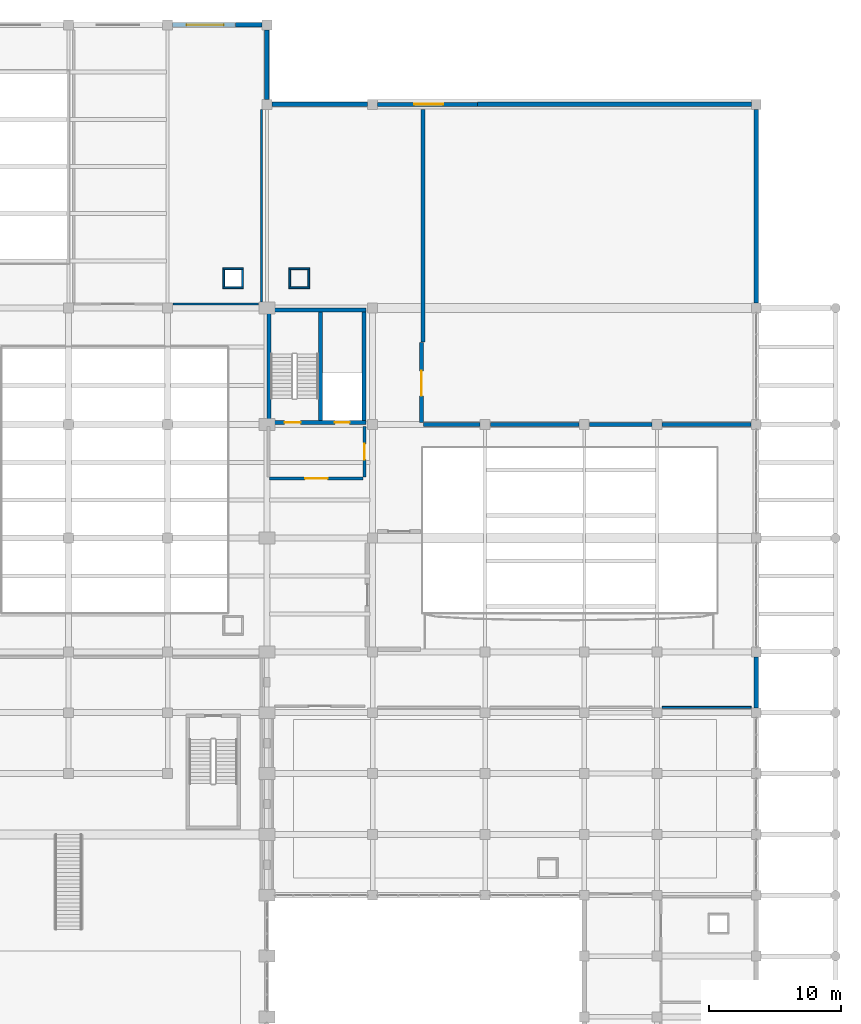
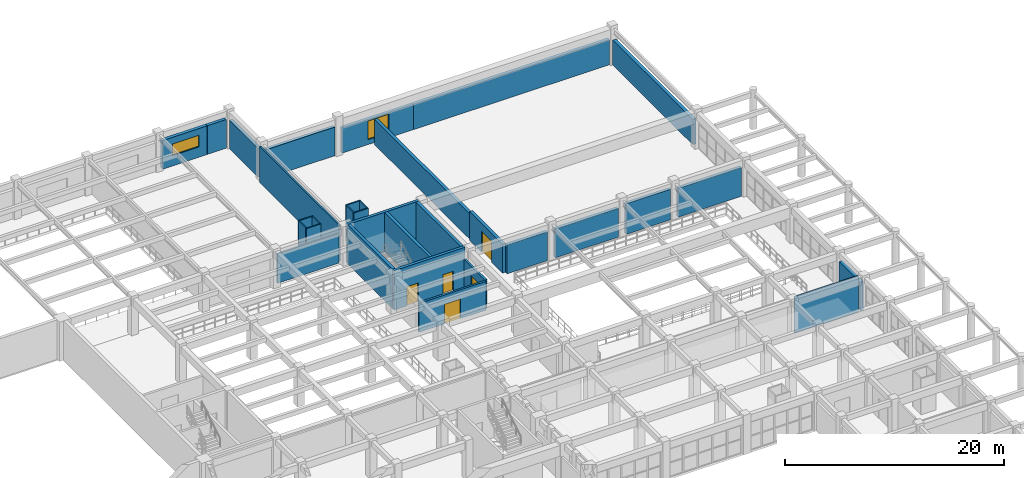
# One storey, part 103 of 116: 32 walls, 5 doors, 2 windows, 7 openings.
"""IFC4 building model written with IfcOpenShell, lengths in metres."""

from ifc_helpers import new_model, si_unit, direction, frame, frame_2d, origin, place, context, subcontext, project, spatial, rectangle, extrude, material, layer, layer_set, type_object, element, fill, save


model = new_model("IFC4")

# Units and contexts
model_context = context("Model", 3, precision=1e-05, world=origin(), true_north=direction((0.0, 1.0)))
body_context = subcontext(model_context, "Body", "Model", "MODEL_VIEW")
ifc_project = project(units=[si_unit("LENGTHUNIT", "METRE"), si_unit("AREAUNIT", "SQUARE_METRE"), si_unit("VOLUMEUNIT", "CUBIC_METRE"), si_unit("PLANEANGLEUNIT", "RADIAN"), si_unit("MASSUNIT", "GRAM", prefix="KILO")], contexts=[model_context])

# Site, building, storey
site_placement = place(None, origin())
site = spatial("IfcSite", under=ifc_project, at=site_placement, CompositionType="ELEMENT")
building_placement = place(site_placement, origin())
building = spatial("IfcBuilding", under=site, at=building_placement, Name="Muzn Square Opera House", CompositionType="ELEMENT")
storey_placement = place(building_placement, frame((0.0, 0.0, 5.39990234375)))
storey = spatial("IfcBuildingStorey", under=building, at=storey_placement, Name="L01", CompositionType="ELEMENT", Elevation=5.39990234375)

# Wall, opening, door
ifc_material_1 = material(Name="Acoustic gypsum stud partition", Category="gypsum")
ifc_layer_1 = layer(ifc_material_1, 0.320068359375, Name="Acoustic gypsum stud partition", Category="gypsum")
ifc_layer_set_1 = layer_set([ifc_layer_1], Name="Acoustic gypsum stud partition")
wall_type_1 = type_object("IfcWallType", Name="Acoustic Studio Double Wall 320mm", PredefinedType="PARTITIONING", material=ifc_layer_set_1)
wall_1_placement = place(storey_placement, frame((144.699951171875, 89.945068359375, 0.0), z_axis=(0.0, 0.0, 1.0), x_axis=(0.0, 1.0, 0.0)))
wall_1 = element("IfcWall", 1, at=wall_1_placement, inside=storey, type_object=wall_type_1, Name="Interior Partition PW-L01-0174", PredefinedType="PARTITIONING", context=body_context, shape_type="SweptSolid", body=[
    extrude(rectangle(XDim=6.054931640625, YDim=0.320068359375, at=frame_2d((3.02734375, 0.0))), origin(), (0.0, 0.0, 1.0), 3.22021484375),
])
opening_1_placement = place(wall_1_placement, frame((2.0048828125, 0.0, 0.0)))
opening_1 = element("IfcOpeningElement", 2, at=opening_1_placement, cuts=wall_1, Name="Opening DR-RH19", PredefinedType="OPENING", context=body_context, shape_type="SweptSolid", body=[
    extrude(rectangle(XDim=1.89990234375, YDim=2.35009765625, at=frame_2d((0.949951171875, 1.175048828125))), frame((0.0, 0.169921875, 0.0), z_axis=(0.0, -1.0, 0.0), x_axis=(1.0, 0.0, 0.0)), (0.0, 0.0, 1.0), 0.340087890625),
])
ifc_material_2 = material(Name="Acoustic hardwood leaf", Category="wood")
door_type_1 = type_object("IfcDoorType", Name="Rehearsal Hall Acoustic Door 1900x2350", OperationType="DOUBLE_DOOR_SINGLE_SWING", PredefinedType="DOOR", material=ifc_material_2)
door_1_placement = place(opening_1_placement, origin())
door_1 = element("IfcDoor", 3, at=door_1_placement, inside=storey, type_object=door_type_1, Name="Chamber Music Recital Room Door DR-L01-0060", OperationType="DOUBLE_DOOR_SINGLE_SWING", OverallHeight=2.35009765625, OverallWidth=1.89990234375, PredefinedType="DOOR", context=body_context, shape_type="SweptSolid", body=[
    extrude(rectangle(XDim=1.89990234375, YDim=2.35009765625, at=frame_2d((0.949951171875, 1.175048828125))), frame((0.0, 0.02490234375, 0.0), z_axis=(0.0, -1.0, 0.0), x_axis=(1.0, 0.0, 0.0)), (0.0, 0.0, 1.0), 0.050048828125),
])
fill(opening_1, door_1)

# Walls
wall_2_placement = place(storey_placement, frame((144.844970703125, 89.800048828125, 0.0), z_axis=(0.0, 0.0, 1.0), x_axis=(1.0, 0.0, 0.0)))
element("IfcWall", 4, at=wall_2_placement, inside=storey, type_object=wall_type_1, Name="Room Enclosure Partition PW-L01-0225", PredefinedType="PARTITIONING", context=body_context, shape_type="SweptSolid", body=[
    extrude(rectangle(XDim=4.260009765625, YDim=0.320068359375, at=frame_2d((2.1298828125, 0.0))), origin(), (0.0, 0.0, 1.0), 3.22021484375),
])
wall_3_placement = place(storey_placement, frame((149.89501953125, 89.800048828125, 0.0), z_axis=(0.0, 0.0, 1.0), x_axis=(1.0, 0.0, 0.0)))
element("IfcWall", 5, at=wall_3_placement, inside=storey, type_object=wall_type_1, Name="Room Enclosure Partition PW-L01-0226", PredefinedType="PARTITIONING", context=body_context, shape_type="SweptSolid", body=[
    extrude(rectangle(XDim=6.7099609375, YDim=0.320068359375, at=frame_2d((3.35498046875, 0.0))), origin(), (0.0, 0.0, 1.0), 3.22021484375),
])
wall_4_placement = place(storey_placement, frame((157.39501953125, 89.800048828125, 0.0), z_axis=(0.0, 0.0, 1.0), x_axis=(1.0, 0.0, 0.0)))
element("IfcWall", 6, at=wall_4_placement, inside=storey, type_object=wall_type_1, Name="Room Enclosure Partition PW-L01-0227", PredefinedType="PARTITIONING", context=body_context, shape_type="SweptSolid", body=[
    extrude(rectangle(XDim=4.7099609375, YDim=0.320068359375, at=frame_2d((2.35498046875, 0.0))), origin(), (0.0, 0.0, 1.0), 3.420166015625),
])
wall_5_placement = place(storey_placement, frame((162.89501953125, 89.800048828125, 0.0), z_axis=(0.0, 0.0, 1.0), x_axis=(1.0, 0.0, 0.0)))
element("IfcWall", 7, at=wall_5_placement, inside=storey, type_object=wall_type_1, Name="Room Enclosure Partition PW-L01-0228", PredefinedType="PARTITIONING", context=body_context, shape_type="SweptSolid", body=[
    extrude(rectangle(XDim=6.705078125, YDim=0.320068359375, at=frame_2d((3.3525390625, 0.0))), origin(), (0.0, 0.0, 1.0), 3.22021484375),
])
wall_6_placement = place(storey_placement, frame((144.800048828125, 96.02001953125, 0.0), z_axis=(0.0, 0.0, 1.0), x_axis=(0.0, 1.0, 0.0)))
element("IfcWall", 8, at=wall_6_placement, inside=storey, type_object=wall_type_1, Name="Room Enclosure Partition PW-L01-0229", PredefinedType="PARTITIONING", context=body_context, shape_type="SweptSolid", body=[
    extrude(rectangle(XDim=17.580078125, YDim=0.320068359375, at=frame_2d((8.7900390625, 0.0))), origin(), (0.0, 0.0, 1.0), 2.820068359375),
])
ifc_material_3 = material(Name="Concrete C45/55", Category="concrete")
ifc_layer_2 = layer(ifc_material_3, 0.300048828125, Name="Concrete C45/55", Category="concrete")
ifc_layer_set_2 = layer_set([ifc_layer_2], Name="Concrete C45/55")
wall_type_2 = type_object("IfcWallType", Name="Core Shear Wall 300mm", PredefinedType="SHEAR", material=ifc_layer_set_2)
wall_7_placement = place(storey_placement, frame((133.0, 98.449951171875, 0.0), z_axis=(0.0, 0.0, 1.0), x_axis=(1.0, 0.0, 0.0)))
element("IfcWall", 9, at=wall_7_placement, inside=storey, type_object=wall_type_2, Name="Core C5 Shear Wall SW-C5-L01-N", PredefinedType="SHEAR", context=body_context, shape_type="SweptSolid", body=[
    extrude(rectangle(XDim=7.5, YDim=0.300048828125, at=frame_2d((3.75, 0.0))), origin(), (0.0, 0.0, 1.0), 4.400146484375),
])
for number, where, z_axis, x_axis, name in (
    (10, (133.14990234375, 90.10009765625, 0.0), (0.0, 0.0, 1.0), (0.0, 1.0, 0.0), "Core C5 Shear Wall SW-C5-L01-W"),
    (11, (140.35009765625, 90.10009765625, 0.0), (0.0, 0.0, 1.0), (0.0, 1.0, 0.0), "Core C5 Shear Wall SW-C5-L01-E"),
    (12, (137.050048828125, 90.10009765625, 0.0), (0.0, 0.0, 1.0), (0.0, 1.0, 0.0), "Core C5 Shear Wall SW-C5-L01-DIV"),
):
    element("IfcWall", number, at=place(storey_placement, frame(where, z_axis=z_axis, x_axis=x_axis)), inside=storey, type_object=wall_type_2, Name=name, PredefinedType="SHEAR", context=body_context, shape_type="SweptSolid", body=[
        extrude(rectangle(XDim=8.199951171875, YDim=0.300048828125, at=frame_2d((4.10009765625, 0.0))), origin(), (0.0, 0.0, 1.0), 4.400146484375),
    ])

# Wall, openings, doors
wall_8_placement = place(storey_placement, frame((133.0, 89.949951171875, 0.0), z_axis=(0.0, 0.0, 1.0), x_axis=(1.0, 0.0, 0.0)))
wall_8 = element("IfcWall", 13, at=wall_8_placement, inside=storey, type_object=wall_type_2, Name="Core C5 Front Shear Wall L01", PredefinedType="SHEAR", context=body_context, shape_type="SweptSolid", body=[
    extrude(rectangle(XDim=7.5, YDim=0.300048828125, at=frame_2d((3.75, 0.0))), origin(), (0.0, 0.0, 1.0), 4.400146484375),
])
opening_2_placement = place(wall_8_placement, frame((2.550048828125, 0.0, 0.0), z_axis=(0.0, 0.0, 1.0), x_axis=(-1.0, 0.0, 0.0)))
opening_2 = element("IfcOpeningElement", 14, at=opening_2_placement, cuts=wall_8, Name="Opening DR-ST12", PredefinedType="OPENING", context=body_context, shape_type="SweptSolid", body=[
    extrude(rectangle(XDim=1.199951171875, YDim=2.14990234375, at=frame_2d((0.60009765625, 1.074951171875))), frame((0.0, 0.159912109375, 0.0), z_axis=(0.0, -1.0, 0.0), x_axis=(1.0, 0.0, 0.0)), (0.0, 0.0, 1.0), 0.320068359375),
])
opening_3_placement = place(wall_8_placement, frame((5.14990234375, 0.0, 0.0)))
opening_3 = element("IfcOpeningElement", 15, at=opening_3_placement, cuts=wall_8, Name="Opening LD-01", PredefinedType="OPENING", context=body_context, shape_type="SweptSolid", body=[
    extrude(rectangle(XDim=1.10009765625, YDim=2.14990234375, at=frame_2d((0.550048828125, 1.074951171875))), frame((0.0, 0.159912109375, 0.0), z_axis=(0.0, -1.0, 0.0), x_axis=(1.0, 0.0, 0.0)), (0.0, 0.0, 1.0), 0.320068359375),
])
ifc_material_4 = material(Name="Galvanised painted steel leaf", Category="metal")
door_type_2 = type_object("IfcDoorType", Name="Core Stair Fire Door 1200x2150", OperationType="NOTDEFINED", PredefinedType="DOOR", material=ifc_material_4)
door_2_placement = place(opening_2_placement, origin())
door_2 = element("IfcDoor", 16, at=door_2_placement, inside=storey, type_object=door_type_2, Name="Core C5 Stair Door L01", OperationType="SINGLE_SWING_RIGHT", OverallHeight=2.14990234375, OverallWidth=1.199951171875, PredefinedType="DOOR", context=body_context, shape_type="SweptSolid", body=[
    extrude(rectangle(XDim=1.199951171875, YDim=2.14990234375, at=frame_2d((0.60009765625, 1.074951171875))), frame((0.0, 0.02490234375, 0.0), z_axis=(0.0, -1.0, 0.0), x_axis=(1.0, 0.0, 0.0)), (0.0, 0.0, 1.0), 0.050048828125),
])
fill(opening_2, door_2)
ifc_material_5 = material(Name="Brushed stainless steel", Category="metal")
door_type_3 = type_object("IfcDoorType", Name="Lift Landing Sliding Door 1100x2150", OperationType="SLIDING_TO_LEFT", PredefinedType="DOOR", material=ifc_material_5)
door_3_placement = place(opening_3_placement, origin())
door_3 = element("IfcDoor", 17, at=door_3_placement, inside=storey, type_object=door_type_3, Name="Lift PL-5 Sliding Landing Door L01", OperationType="SLIDING_TO_LEFT", OverallHeight=2.14990234375, OverallWidth=1.10009765625, PredefinedType="DOOR", context=body_context, shape_type="SweptSolid", body=[
    extrude(rectangle(XDim=1.10009765625, YDim=2.14990234375, at=frame_2d((0.550048828125, 1.074951171875))), frame((0.0, 0.02490234375, 0.0), z_axis=(0.0, -1.0, 0.0), x_axis=(1.0, 0.0, 0.0)), (0.0, 0.0, 1.0), 0.050048828125),
])
fill(opening_3, door_3)

# Wall, opening, window
ifc_material_6 = material(Name="Concrete C40/50", Category="concrete")
ifc_layer_3 = layer(ifc_material_6, 0.31005859375, Name="Concrete C40/50", Category="concrete")
ifc_layer_set_3 = layer_set([ifc_layer_3], Name="Concrete C40/50")
wall_type_3 = type_object("IfcWallType", Name="Exterior Gallery Facade Wall 310mm", PredefinedType="SOLIDWALL", material=ifc_layer_set_3)
wall_9_placement = place(storey_placement, frame((141.375, 114.0, 0.0), z_axis=(0.0, 0.0, 1.0), x_axis=(1.0, 0.0, 0.0)))
wall_9 = element("IfcWall", 18, at=wall_9_placement, inside=storey, type_object=wall_type_3, Name="Exterior Facade Wall EW-L01-092", PredefinedType="SOLIDWALL", context=body_context, shape_type="SweptSolid", body=[
    extrude(rectangle(XDim=7.544921875, YDim=0.31005859375, at=frame_2d((3.7724609375, 0.0))), origin(), (0.0, 0.0, 1.0), 2.820068359375),
])
opening_4_placement = place(wall_9_placement, frame((2.7548828125, 0.0, 0.5400390625)))
opening_4 = element("IfcOpeningElement", 19, at=opening_4_placement, cuts=wall_9, Name="Opening WN-R2221", PredefinedType="OPENING", context=body_context, shape_type="SweptSolid", body=[
    extrude(rectangle(XDim=2.199951171875, YDim=2.10009765625, at=frame_2d((1.10009765625, 1.050048828125))), frame((0.0, 0.1650390625, 0.0), z_axis=(0.0, -1.0, 0.0), x_axis=(1.0, 0.0, 0.0)), (0.0, 0.0, 1.0), 0.330078125),
])
ifc_material_7 = material(Name="Low-E laminated acoustic double glazing", Category="glass")
window_type_1 = type_object("IfcWindowType", Name="Rehearsal Studio Window 2200x2100", PartitioningType="DOUBLE_PANEL_VERTICAL", PredefinedType="WINDOW", material=ifc_material_7)
window_1_placement = place(opening_4_placement, origin())
window_1 = element("IfcWindow", 20, at=window_1_placement, inside=storey, type_object=window_type_1, Name="Rehearsal Studio Window 2200x2100 EW-L01-092-WN01", OverallHeight=2.10009765625, OverallWidth=2.199951171875, PartitioningType="SINGLE_PANEL", PredefinedType="WINDOW", context=body_context, shape_type="SweptSolid", body=[
    extrude(rectangle(XDim=2.199951171875, YDim=2.10009765625, at=frame_2d((1.10009765625, 1.050048828125))), frame((0.0, 0.030029296875, 0.0), z_axis=(0.0, -1.0, 0.0), x_axis=(1.0, 0.0, 0.0)), (0.0, 0.0, 1.0), 0.06005859375),
])
fill(opening_4, window_1)

ifc_layer_4 = layer(ifc_material_6, 0.340087890625, Name="Concrete C40/50", Category="concrete")
ifc_layer_set_4 = layer_set([ifc_layer_4], Name="Concrete C40/50")
wall_type_4 = type_object("IfcWallType", Name="Exterior Insulated Spandrel Wall 340mm", PredefinedType="SOLIDWALL", material=ifc_layer_set_4)
wall_10_placement = place(storey_placement, frame((125.875, 120.0, 0.0), z_axis=(0.0, 0.0, 1.0), x_axis=(1.0, 0.0, 0.0)))
wall_10 = element("IfcWall", 21, at=wall_10_placement, inside=storey, type_object=wall_type_4, Name="Exterior Facade Wall EW-L01-056", PredefinedType="SOLIDWALL", context=body_context, shape_type="SweptSolid", body=[
    extrude(rectangle(XDim=4.72509765625, YDim=0.340087890625, at=frame_2d((2.362548828125, 0.0))), origin(), (0.0, 0.0, 1.0), 3.2001953125),
])
opening_5_placement = place(wall_10_placement, frame((1.06494140625, 0.0, 1.14990234375)))
opening_5 = element("IfcOpeningElement", 22, at=opening_5_placement, cuts=wall_10, Name="Opening WN-S2813", PredefinedType="OPENING", context=body_context, shape_type="SweptSolid", body=[
    extrude(rectangle(XDim=2.800048828125, YDim=1.300048828125, at=frame_2d((1.39990234375, 0.64990234375))), frame((0.0, 0.179931640625, 0.0), z_axis=(0.0, -1.0, 0.0), x_axis=(1.0, 0.0, 0.0)), (0.0, 0.0, 1.0), 0.360107421875),
])
window_type_2 = type_object("IfcWindowType", Name="Scenery Clerestory Window 2800x1300", PartitioningType="DOUBLE_PANEL_HORIZONTAL", PredefinedType="WINDOW", material=ifc_material_7)
window_2_placement = place(opening_5_placement, origin())
window_2 = element("IfcWindow", 23, at=window_2_placement, inside=storey, type_object=window_type_2, Name="Scenery Clerestory Window 2800x1300 EW-L01-056-WN01", OverallHeight=1.300048828125, OverallWidth=2.800048828125, PartitioningType="SINGLE_PANEL", PredefinedType="WINDOW", context=body_context, shape_type="SweptSolid", body=[
    extrude(rectangle(XDim=2.800048828125, YDim=1.300048828125, at=frame_2d((1.39990234375, 0.64990234375))), frame((0.0, 0.030029296875, 0.0), z_axis=(0.0, -1.0, 0.0), x_axis=(1.0, 0.0, 0.0)), (0.0, 0.0, 1.0), 0.06005859375),
])
fill(opening_5, window_2)

# Walls
wall_11_placement = place(storey_placement, frame((133.0, 114.375, 0.0), z_axis=(0.0, 0.0, 1.0), x_axis=(0.0, 1.0, 0.0)))
element("IfcWall", 24, at=wall_11_placement, inside=storey, type_object=wall_type_4, Name="Exterior Facade Wall EW-L01-156", PredefinedType="SOLIDWALL", context=body_context, shape_type="SweptSolid", body=[
    extrude(rectangle(XDim=5.25, YDim=0.340087890625, at=frame_2d((2.625, 0.0))), origin(), (0.0, 0.0, 1.0), 3.2001953125),
])
wall_12_placement = place(storey_placement, frame((133.375, 114.0, 0.0), z_axis=(0.0, 0.0, 1.0), x_axis=(1.0, 0.0, 0.0)))
element("IfcWall", 25, at=wall_12_placement, inside=storey, type_object=wall_type_4, Name="Exterior Facade Wall EW-L01-157", PredefinedType="SOLIDWALL", context=body_context, shape_type="SweptSolid", body=[
    extrude(rectangle(XDim=7.25, YDim=0.340087890625, at=frame_2d((3.625, 0.0))), origin(), (0.0, 0.0, 1.0), 3.2001953125),
])
wall_13_placement = place(storey_placement, frame((170.0, 98.97509765625, 0.0), z_axis=(0.0, 0.0, 1.0), x_axis=(0.0, 1.0, 0.0)))
element("IfcWall", 26, at=wall_13_placement, inside=storey, type_object=wall_type_4, Name="Exterior Facade Wall EW-L01-159", PredefinedType="SOLIDWALL", context=body_context, shape_type="SweptSolid", body=[
    extrude(rectangle(XDim=14.64990234375, YDim=0.340087890625, at=frame_2d((7.324951171875, 0.0))), origin(), (0.0, 0.0, 1.0), 2.820068359375),
])
wall_14_placement = place(storey_placement, frame((170.0, 68.375, 0.0), z_axis=(0.0, 0.0, 1.0), x_axis=(0.0, 1.0, 0.0)))
element("IfcWall", 27, at=wall_14_placement, inside=storey, type_object=wall_type_4, Name="Exterior Facade Wall EW-L01-165", PredefinedType="SOLIDWALL", context=body_context, shape_type="SweptSolid", body=[
    extrude(rectangle(XDim=3.85009765625, YDim=0.340087890625, at=frame_2d((1.925048828125, 0.0))), origin(), (0.0, 0.0, 1.0), 3.2001953125),
])
wall_15_placement = place(storey_placement, frame((148.93994140625, 114.0, 0.0), z_axis=(0.0, 0.0, 1.0), x_axis=(1.0, 0.0, 0.0)))
element("IfcWall", 28, at=wall_15_placement, inside=storey, type_object=wall_type_4, Name="Exterior Facade Wall EW-L01-158", PredefinedType="SOLIDWALL", context=body_context, shape_type="SweptSolid", body=[
    extrude(rectangle(XDim=20.68505859375, YDim=0.340087890625, at=frame_2d((10.342529296875, 0.0))), origin(), (0.0, 0.0, 1.0), 2.820068359375),
])
wall_16_placement = place(storey_placement, frame((130.6201171875, 120.0, 0.0), z_axis=(0.0, 0.0, 1.0), x_axis=(1.0, 0.0, 0.0)))
element("IfcWall", 29, at=wall_16_placement, inside=storey, type_object=wall_type_4, Name="Exterior Facade Wall EW-L01-155", PredefinedType="SOLIDWALL", context=body_context, shape_type="SweptSolid", body=[
    extrude(rectangle(XDim=2.0048828125, YDim=0.340087890625, at=frame_2d((1.00244140625, 0.0))), origin(), (0.0, 0.0, 1.0), 3.2001953125),
])

# Wall, opening, door
ifc_layer_5 = layer(ifc_material_6, 0.219970703125, Name="Concrete C40/50", Category="concrete")
ifc_layer_set_5 = layer_set([ifc_layer_5], Name="Concrete C40/50")
wall_type_5 = type_object("IfcWallType", Name="Lift Lobby Wall 220mm", PredefinedType="SOLIDWALL", material=ifc_layer_set_5)
wall_17_placement = place(storey_placement, frame((133.219970703125, 85.7099609375, 0.0), z_axis=(0.0, 0.0, 1.0), x_axis=(1.0, 0.0, 0.0)))
wall_17 = element("IfcWall", 30, at=wall_17_placement, inside=storey, type_object=wall_type_5, Name="Lobby C5 Enclosure Wall L01", PredefinedType="SOLIDWALL", context=body_context, shape_type="SweptSolid", body=[
    extrude(rectangle(XDim=7.06005859375, YDim=0.219970703125, at=frame_2d((3.530029296875, 0.0))), origin(), (0.0, 0.0, 1.0), 3.22021484375),
])
opening_6_placement = place(wall_17_placement, frame((4.3798828125, 0.0, 0.0), z_axis=(0.0, 0.0, 1.0), x_axis=(-1.0, 0.0, 0.0)))
opening_6 = element("IfcOpeningElement", 31, at=opening_6_placement, cuts=wall_17, Name="Opening DR-LL17", PredefinedType="OPENING", context=body_context, shape_type="SweptSolid", body=[
    extrude(rectangle(XDim=1.699951171875, YDim=2.179931640625, at=frame_2d((0.85009765625, 1.08984375))), frame((0.0, 0.119873046875, 0.0), z_axis=(0.0, -1.0, 0.0), x_axis=(1.0, 0.0, 0.0)), (0.0, 0.0, 1.0), 0.239990234375),
])
door_type_4 = type_object("IfcDoorType", Name="Lift Lobby Double Door 1700x2180", OperationType="DOUBLE_DOOR_SINGLE_SWING", PredefinedType="DOOR", material=ifc_material_2)
door_4_placement = place(opening_6_placement, origin())
door_4 = element("IfcDoor", 32, at=door_4_placement, inside=storey, type_object=door_type_4, Name="Lobby C5 Fire Door L01", OperationType="DOUBLE_DOOR_SINGLE_SWING", OverallHeight=2.179931640625, OverallWidth=1.699951171875, PredefinedType="DOOR", context=body_context, shape_type="SweptSolid", body=[
    extrude(rectangle(XDim=1.699951171875, YDim=2.179931640625, at=frame_2d((0.85009765625, 1.08984375))), frame((0.0, 0.02490234375, 0.0), z_axis=(0.0, -1.0, 0.0), x_axis=(1.0, 0.0, 0.0)), (0.0, 0.0, 1.0), 0.050048828125),
])
fill(opening_6, door_4)

wall_18_placement = place(storey_placement, frame((140.389892578125, 85.820068359375, 0.0), z_axis=(0.0, 0.0, 1.0), x_axis=(0.0, 1.0, 0.0)))
wall_18 = element("IfcWall", 33, at=wall_18_placement, inside=storey, type_object=wall_type_5, Name="Lobby C5 Side Wall E L01", PredefinedType="SOLIDWALL", context=body_context, shape_type="SweptSolid", body=[
    extrude(rectangle(XDim=3.829833984375, YDim=0.219970703125, at=frame_2d((1.9150390625, 0.0))), origin(), (0.0, 0.0, 1.0), 3.22021484375),
])
opening_7_placement = place(wall_18_placement, frame((2.514892578125, 0.0, 0.0), z_axis=(0.0, 0.0, 1.0), x_axis=(-1.0, 0.0, 0.0)))
opening_7 = element("IfcOpeningElement", 34, at=opening_7_placement, cuts=wall_18, Name="Opening DR-ST12", PredefinedType="OPENING", context=body_context, shape_type="SweptSolid", body=[
    extrude(rectangle(XDim=1.199951171875, YDim=2.14990234375, at=frame_2d((0.60009765625, 1.074951171875))), frame((0.0, 0.119873046875, 0.0), z_axis=(0.0, -1.0, 0.0), x_axis=(1.0, 0.0, 0.0)), (0.0, 0.0, 1.0), 0.239990234375),
])
door_5_placement = place(opening_7_placement, origin())
door_5 = element("IfcDoor", 35, at=door_5_placement, inside=storey, type_object=door_type_2, Name="Lobby C5 Side Door E L01", OperationType="SINGLE_SWING_LEFT", OverallHeight=2.14990234375, OverallWidth=1.199951171875, PredefinedType="DOOR", context=body_context, shape_type="SweptSolid", body=[
    extrude(rectangle(XDim=1.199951171875, YDim=2.14990234375, at=frame_2d((0.60009765625, 1.074951171875))), frame((0.0, 0.02490234375, 0.0), z_axis=(0.0, -1.0, 0.0), x_axis=(1.0, 0.0, 0.0)), (0.0, 0.0, 1.0), 0.050048828125),
])
fill(opening_7, door_5)

# Walls
ifc_layer_6 = layer(ifc_material_1, 0.14990234375, Name="Acoustic gypsum stud partition", Category="gypsum")
ifc_layer_set_6 = layer_set([ifc_layer_6], Name="Acoustic gypsum stud partition")
wall_type_6 = type_object("IfcWallType", Name="Office Acoustic Partition 150mm", PredefinedType="PARTITIONING", material=ifc_layer_set_6)
wall_19_placement = place(storey_placement, frame((162.8798828125, 68.39990234375, 0.0), z_axis=(0.0, 0.0, 1.0), x_axis=(1.0, 0.0, 0.0)))
element("IfcWall", 36, at=wall_19_placement, inside=storey, type_object=wall_type_6, Name="Room Enclosure Partition PW-L01-0215", PredefinedType="PARTITIONING", context=body_context, shape_type="SweptSolid", body=[
    extrude(rectangle(XDim=6.740234375, YDim=0.14990234375, at=frame_2d((3.3701171875, 0.0))), origin(), (0.0, 0.0, 1.0), 4.02001953125),
])
ifc_layer_7 = layer(ifc_material_1, 0.1298828125, Name="Acoustic gypsum stud partition", Category="gypsum")
ifc_layer_set_7 = layer_set([ifc_layer_7], Name="Acoustic gypsum stud partition")
wall_type_7 = type_object("IfcWallType", Name="Service Closet Partition 130mm", PredefinedType="PARTITIONING", material=ifc_layer_set_7)
for number, where, z_axis, x_axis, name in (
    (37, (129.669921875, 100.135009765625, 0.0), (0.0, 0.0, 1.0), (1.0, 0.0, 0.0), "MEP Riser Shaft Wall RSR-RR L01-S"),
    (38, (129.669921875, 101.56494140625, 0.0), (0.0, 0.0, 1.0), (1.0, 0.0, 0.0), "MEP Riser Shaft Wall RSR-RR L01-N"),
):
    element("IfcWall", number, at=place(storey_placement, frame(where, z_axis=z_axis, x_axis=x_axis)), inside=storey, type_object=wall_type_7, Name=name, PredefinedType="PARTITIONING", context=body_context, shape_type="SweptSolid", body=[
        extrude(rectangle(XDim=1.56005859375, YDim=0.1298828125, at=frame_2d((0.780029296875, 0.0))), origin(), (0.0, 0.0, 1.0), 4.02001953125),
    ])
for number, where, z_axis, x_axis, name in (
    (39, (129.735107421875, 100.199951171875, 0.0), (0.0, 0.0, 1.0), (0.0, 1.0, 0.0), "MEP Riser Shaft Wall RSR-RR L01-W"),
    (40, (131.1650390625, 100.199951171875, 0.0), (0.0, 0.0, 1.0), (0.0, 1.0, 0.0), "MEP Riser Shaft Wall RSR-RR L01-E"),
):
    element("IfcWall", number, at=place(storey_placement, frame(where, z_axis=z_axis, x_axis=x_axis)), inside=storey, type_object=wall_type_7, Name=name, PredefinedType="PARTITIONING", context=body_context, shape_type="SweptSolid", body=[
        extrude(rectangle(XDim=1.300048828125, YDim=0.1298828125, at=frame_2d((0.64990234375, 0.0))), origin(), (0.0, 0.0, 1.0), 4.02001953125),
    ])
for number, where, z_axis, x_axis, name in (
    (41, (134.669921875, 100.135009765625, 0.0), (0.0, 0.0, 1.0), (1.0, 0.0, 0.0), "MEP Riser Shaft Wall RSR-RP L01-S"),
    (42, (134.669921875, 101.56494140625, 0.0), (0.0, 0.0, 1.0), (1.0, 0.0, 0.0), "MEP Riser Shaft Wall RSR-RP L01-N"),
):
    element("IfcWall", number, at=place(storey_placement, frame(where, z_axis=z_axis, x_axis=x_axis)), inside=storey, type_object=wall_type_7, Name=name, PredefinedType="PARTITIONING", context=body_context, shape_type="SweptSolid", body=[
        extrude(rectangle(XDim=1.56005859375, YDim=0.1298828125, at=frame_2d((0.780029296875, 0.0))), origin(), (0.0, 0.0, 1.0), 4.02001953125),
    ])
for number, where, z_axis, x_axis, name in (
    (43, (134.735107421875, 100.199951171875, 0.0), (0.0, 0.0, 1.0), (0.0, 1.0, 0.0), "MEP Riser Shaft Wall RSR-RP L01-W"),
    (44, (136.1650390625, 100.199951171875, 0.0), (0.0, 0.0, 1.0), (0.0, 1.0, 0.0), "MEP Riser Shaft Wall RSR-RP L01-E"),
):
    element("IfcWall", number, at=place(storey_placement, frame(where, z_axis=z_axis, x_axis=x_axis)), inside=storey, type_object=wall_type_7, Name=name, PredefinedType="PARTITIONING", context=body_context, shape_type="SweptSolid", body=[
        extrude(rectangle(XDim=1.300048828125, YDim=0.1298828125, at=frame_2d((0.64990234375, 0.0))), origin(), (0.0, 0.0, 1.0), 4.02001953125),
    ])
ifc_layer_8 = layer(ifc_material_1, 0.159912109375, Name="Acoustic gypsum stud partition", Category="gypsum")
ifc_layer_set_8 = layer_set([ifc_layer_8], Name="Acoustic gypsum stud partition")
wall_type_8 = type_object("IfcWallType", Name="Workshop Rated Partition 160mm", PredefinedType="PARTITIONING", material=ifc_layer_set_8)
wall_20_placement = place(storey_placement, frame((125.89501953125, 98.89990234375, 0.0), z_axis=(0.0, 0.0, 1.0), x_axis=(1.0, 0.0, 0.0)))
element("IfcWall", 45, at=wall_20_placement, inside=storey, type_object=wall_type_8, Name="Interior Partition PW-L01-0189", PredefinedType="PARTITIONING", context=body_context, shape_type="SweptSolid", body=[
    extrude(rectangle(XDim=6.48486328125, YDim=0.159912109375, at=frame_2d((3.242431640625, 0.0))), origin(), (0.0, 0.0, 1.0), 3.300048828125),
])
wall_21_placement = place(storey_placement, frame((132.60009765625, 99.070068359375, 0.0), z_axis=(0.0, 0.0, 1.0), x_axis=(0.0, 1.0, 0.0)))
element("IfcWall", 46, at=wall_21_placement, inside=storey, type_object=wall_type_8, Name="Room Enclosure Partition PW-L01-0247", PredefinedType="PARTITIONING", context=body_context, shape_type="SweptSolid", body=[
    extrude(rectangle(XDim=14.550048828125, YDim=0.159912109375, at=frame_2d((7.27490234375, 0.0))), origin(), (0.0, 0.0, 1.0), 4.02001953125),
])

save(model, "model.ifc")
